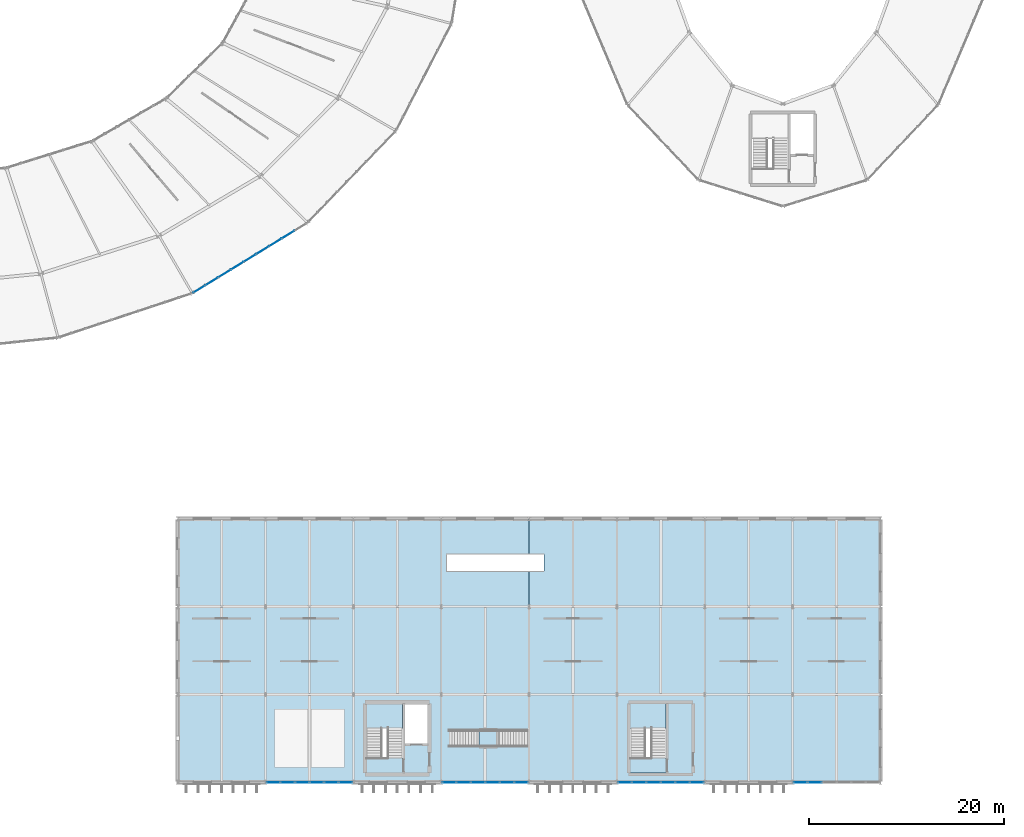
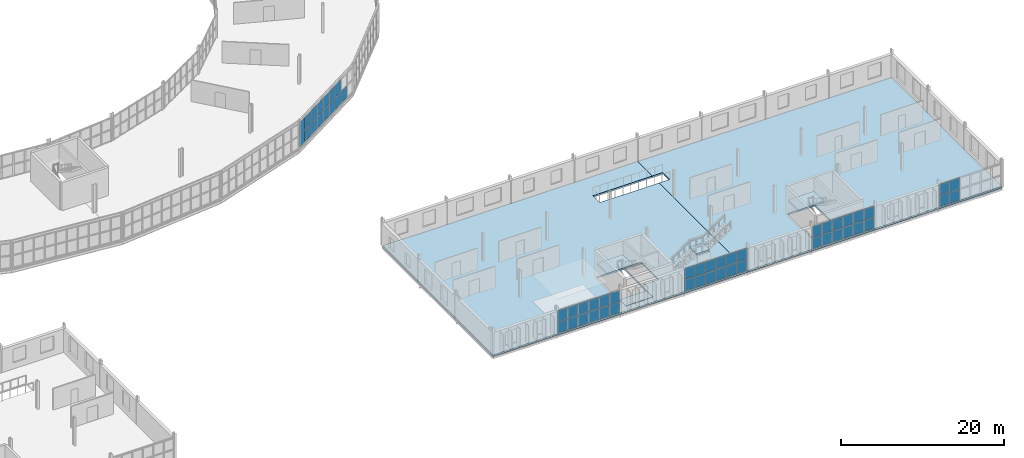
# One storey, part 119 of 161: 55 plates, 7 slabs, 8 elements without a shape of their own.
"""IFC4 building model written with IfcOpenShell, lengths in metres."""

from ifc_helpers import new_model, si_unit, direction, frame, origin, origin_2d, place, context, subcontext, project, spatial, polyline, rectangle, outline, extrude, material, layer, layer_set, type_object, element, aggregate, save


model = new_model("IFC4")

# Units and contexts
model_context = context("Model", 3, precision=1e-05, world=origin(), true_north=direction((0.0, 1.0)))
body_context = subcontext(model_context, "Body", "Model", "MODEL_VIEW")
ifc_project = project(units=[si_unit("LENGTHUNIT", "METRE"), si_unit("AREAUNIT", "SQUARE_METRE"), si_unit("VOLUMEUNIT", "CUBIC_METRE"), si_unit("PLANEANGLEUNIT", "RADIAN"), si_unit("MASSUNIT", "GRAM", prefix="KILO")], contexts=[model_context])

# Site, building, storey
site_placement = place(None, origin())
site = spatial("IfcSite", under=ifc_project, at=site_placement, CompositionType="ELEMENT")
building_placement = place(site_placement, origin())
building = spatial("IfcBuilding", under=site, at=building_placement, Name="Kildeholm Park Wholesale Market", CompositionType="ELEMENT")
storey_placement = place(building_placement, frame((0.0, 0.0, 5.39990234375)))
storey = spatial("IfcBuildingStorey", under=building, at=storey_placement, Name="L01", CompositionType="ELEMENT", Elevation=5.39990234375)

# Curtain wall, plates
ifc_material_1 = material(Name="Anodised aluminium and low-E double-glazed glass", Category="aluminium")
curtain_wall_type_1 = type_object("IfcCurtainWallType", Name="Market hall glazed arcade stick curtain wall CW-01", PredefinedType="NOTDEFINED", material=ifc_material_1)
curtain_wall_1_placement = place(storey_placement, origin())
curtain_wall_1 = element("IfcCurtainWall", 1, at=curtain_wall_1_placement, inside=storey, type_object=curtain_wall_type_1, Name="Curtain wall CW-V1-OT-20-1 CW-0099", PredefinedType="NOTDEFINED")
ifc_material_2 = material(Name="Double-glazed low-E insulated glass", Category="glass")
ifc_layer_1 = layer(ifc_material_2, 0.028076171875)
ifc_layer_set_1 = layer_set([ifc_layer_1], Name="Double-glazed low-E insulated glass")
plate_type_1 = type_object("IfcPlateType", Name="Curtain-wall panel CWP-1 28 mm", PredefinedType="CURTAIN_PANEL", material=ifc_layer_set_1)
plate_1_placement = place(storey_placement, frame((128.202880859375, 50.52099609375, 0.06494140625), z_axis=(0.0, 0.0, 1.0), x_axis=(0.852771402766, 0.522284342695, 0.0)))
plate_1 = element("IfcPlate", 2, at=plate_1_placement, type_object=plate_type_1, Name="CW-01 panel 1.1 PLT-1488", PredefinedType="CURTAIN_PANEL", context=body_context, shape_type="SweptSolid", body=[
    extrude(rectangle(XDim=1.431884765625, YDim=0.028076171875, at=origin_2d()), origin(), (0.0, 0.0, 1.0), 1.802490234375),
])
plate_2_placement = place(storey_placement, frame((128.202880859375, 50.52099609375, 1.9326171875), z_axis=(0.0, 0.0, 1.0), x_axis=(0.852771402766, 0.522284342695, 0.0)))
plate_2 = element("IfcPlate", 3, at=plate_2_placement, type_object=plate_type_1, Name="CW-01 panel 1.2 PLT-1489", PredefinedType="CURTAIN_PANEL", context=body_context, shape_type="SweptSolid", body=[
    extrude(rectangle(XDim=1.431884765625, YDim=0.028076171875, at=origin_2d()), origin(), (0.0, 0.0, 1.0), 1.802490234375),
])
plate_3_placement = place(storey_placement, frame((129.493408203125, 51.311279296875, 0.06494140625), z_axis=(0.0, 0.0, 1.0), x_axis=(0.852771402766, 0.522284342695, 0.0)))
plate_3 = element("IfcPlate", 4, at=plate_3_placement, type_object=plate_type_1, Name="CW-01 panel 2.1 PLT-1490", PredefinedType="CURTAIN_PANEL", context=body_context, shape_type="SweptSolid", body=[
    extrude(rectangle(XDim=1.46435546875, YDim=0.028076171875, at=origin_2d()), origin(), (0.0, 0.0, 1.0), 1.802490234375),
])
plate_4_placement = place(storey_placement, frame((129.493408203125, 51.311279296875, 1.9326171875), z_axis=(0.0, 0.0, 1.0), x_axis=(0.852771402766, 0.522284342695, 0.0)))
plate_4 = element("IfcPlate", 5, at=plate_4_placement, type_object=plate_type_1, Name="CW-01 panel 2.2 PLT-1491", PredefinedType="CURTAIN_PANEL", context=body_context, shape_type="SweptSolid", body=[
    extrude(rectangle(XDim=1.46435546875, YDim=0.028076171875, at=origin_2d()), origin(), (0.0, 0.0, 1.0), 1.802490234375),
])
plate_5_placement = place(storey_placement, frame((130.797607421875, 52.10986328125, 0.06494140625), z_axis=(0.0, 0.0, 1.0), x_axis=(0.852771402766, 0.522284342695, 0.0)))
plate_5 = element("IfcPlate", 6, at=plate_5_placement, type_object=plate_type_1, Name="CW-01 panel 3.1 PLT-1492", PredefinedType="CURTAIN_PANEL", context=body_context, shape_type="SweptSolid", body=[
    extrude(rectangle(XDim=1.46435546875, YDim=0.028076171875, at=origin_2d()), origin(), (0.0, 0.0, 1.0), 1.802490234375),
])
plate_6_placement = place(storey_placement, frame((130.797607421875, 52.10986328125, 1.9326171875), z_axis=(0.0, 0.0, 1.0), x_axis=(0.852771402766, 0.522284342695, 0.0)))
plate_6 = element("IfcPlate", 7, at=plate_6_placement, type_object=plate_type_1, Name="CW-01 panel 3.2 PLT-1493", PredefinedType="CURTAIN_PANEL", context=body_context, shape_type="SweptSolid", body=[
    extrude(rectangle(XDim=1.46435546875, YDim=0.028076171875, at=origin_2d()), origin(), (0.0, 0.0, 1.0), 1.802490234375),
])
plate_7_placement = place(storey_placement, frame((132.101806640625, 52.90869140625, 0.06494140625), z_axis=(0.0, 0.0, 1.0), x_axis=(0.852771402766, 0.522284342695, 0.0)))
plate_7 = element("IfcPlate", 8, at=plate_7_placement, type_object=plate_type_1, Name="CW-01 panel 4.1 PLT-1494", PredefinedType="CURTAIN_PANEL", context=body_context, shape_type="SweptSolid", body=[
    extrude(rectangle(XDim=1.46435546875, YDim=0.028076171875, at=origin_2d()), origin(), (0.0, 0.0, 1.0), 1.802490234375),
])
plate_8_placement = place(storey_placement, frame((132.101806640625, 52.90869140625, 1.9326171875), z_axis=(0.0, 0.0, 1.0), x_axis=(0.852771402766, 0.522284342695, 0.0)))
plate_8 = element("IfcPlate", 9, at=plate_8_placement, type_object=plate_type_1, Name="CW-01 panel 4.2 PLT-1495", PredefinedType="CURTAIN_PANEL", context=body_context, shape_type="SweptSolid", body=[
    extrude(rectangle(XDim=1.46435546875, YDim=0.028076171875, at=origin_2d()), origin(), (0.0, 0.0, 1.0), 1.802490234375),
])
plate_9_placement = place(storey_placement, frame((133.406005859375, 53.70751953125, 0.06494140625), z_axis=(0.0, 0.0, 1.0), x_axis=(0.852771402766, 0.522284342695, 0.0)))
plate_9 = element("IfcPlate", 10, at=plate_9_placement, type_object=plate_type_1, Name="CW-01 panel 5.1 PLT-1496", PredefinedType="CURTAIN_PANEL", context=body_context, shape_type="SweptSolid", body=[
    extrude(rectangle(XDim=1.46435546875, YDim=0.028076171875, at=origin_2d()), origin(), (0.0, 0.0, 1.0), 1.802490234375),
])
plate_10_placement = place(storey_placement, frame((133.406005859375, 53.70751953125, 1.9326171875), z_axis=(0.0, 0.0, 1.0), x_axis=(0.852771402766, 0.522284342695, 0.0)))
plate_10 = element("IfcPlate", 11, at=plate_10_placement, type_object=plate_type_1, Name="CW-01 panel 5.2 PLT-1497", PredefinedType="CURTAIN_PANEL", context=body_context, shape_type="SweptSolid", body=[
    extrude(rectangle(XDim=1.46435546875, YDim=0.028076171875, at=origin_2d()), origin(), (0.0, 0.0, 1.0), 1.802490234375),
])
plate_11_placement = place(storey_placement, frame((134.710205078125, 54.50634765625, 0.06494140625), z_axis=(0.0, 0.0, 1.0), x_axis=(0.852771402766, 0.522284342695, 0.0)))
plate_11 = element("IfcPlate", 12, at=plate_11_placement, type_object=plate_type_1, Name="CW-01 panel 6.1 PLT-1498", PredefinedType="CURTAIN_PANEL", context=body_context, shape_type="SweptSolid", body=[
    extrude(rectangle(XDim=1.46435546875, YDim=0.028076171875, at=origin_2d()), origin(), (0.0, 0.0, 1.0), 1.802490234375),
])
plate_12_placement = place(storey_placement, frame((134.710205078125, 54.50634765625, 1.9326171875), z_axis=(0.0, 0.0, 1.0), x_axis=(0.852771402766, 0.522284342695, 0.0)))
plate_12 = element("IfcPlate", 13, at=plate_12_placement, type_object=plate_type_1, Name="CW-01 panel 6.2 PLT-1499", PredefinedType="CURTAIN_PANEL", context=body_context, shape_type="SweptSolid", body=[
    extrude(rectangle(XDim=1.46435546875, YDim=0.028076171875, at=origin_2d()), origin(), (0.0, 0.0, 1.0), 1.802490234375),
])
plate_13_placement = place(storey_placement, frame((136.014404296875, 55.30517578125, 0.06494140625), z_axis=(0.0, 0.0, 1.0), x_axis=(0.852771402766, 0.522284342695, 0.0)))
plate_13 = element("IfcPlate", 14, at=plate_13_placement, type_object=plate_type_1, Name="CW-01 panel 7.1 PLT-1500", PredefinedType="CURTAIN_PANEL", context=body_context, shape_type="SweptSolid", body=[
    extrude(rectangle(XDim=1.46435546875, YDim=0.028076171875, at=origin_2d()), origin(), (0.0, 0.0, 1.0), 1.802490234375),
])
plate_14_placement = place(storey_placement, frame((136.014404296875, 55.30517578125, 1.9326171875), z_axis=(0.0, 0.0, 1.0), x_axis=(0.852771402766, 0.522284342695, 0.0)))
plate_14 = element("IfcPlate", 15, at=plate_14_placement, type_object=plate_type_1, Name="CW-01 panel 7.2 PLT-1501", PredefinedType="CURTAIN_PANEL", context=body_context, shape_type="SweptSolid", body=[
    extrude(rectangle(XDim=1.46435546875, YDim=0.028076171875, at=origin_2d()), origin(), (0.0, 0.0, 1.0), 1.802490234375),
])
plate_15_placement = place(storey_placement, frame((137.318603515625, 56.103759765625, 0.06494140625), z_axis=(0.0, 0.0, 1.0), x_axis=(0.852771402766, 0.522284342695, 0.0)))
plate_15 = element("IfcPlate", 16, at=plate_15_placement, type_object=plate_type_1, Name="CW-01 panel 8.1 PLT-1502", PredefinedType="CURTAIN_PANEL", context=body_context, shape_type="SweptSolid", body=[
    extrude(rectangle(XDim=1.46435546875, YDim=0.028076171875, at=origin_2d()), origin(), (0.0, 0.0, 1.0), 1.802490234375),
])
aggregate(curtain_wall_1, [plate_1, plate_2, plate_3, plate_4, plate_5, plate_6, plate_7, plate_8, plate_9, plate_10, plate_11, plate_12, plate_13, plate_14, plate_15])

curtain_wall_type_2 = type_object("IfcCurtainWallType", Name="Park wing thermally broken curtain wall CW-03", PredefinedType="NOTDEFINED", material=ifc_material_1)
curtain_wall_2_placement = place(storey_placement, origin())
curtain_wall_2 = element("IfcCurtainWall", 17, at=curtain_wall_2_placement, inside=storey, type_object=curtain_wall_type_2, Name="Curtain wall CW-V5E-L01-S-02 CW-0151", PredefinedType="NOTDEFINED")
ifc_material_3 = material(Name="Triple-glazed solar-control glass", Category="glass")
ifc_layer_2 = layer(ifc_material_3, 0.035888671875)
ifc_layer_set_2 = layer_set([ifc_layer_2], Name="Triple-glazed solar-control glass")
plate_type_2 = type_object("IfcPlateType", Name="Curtain-wall panel CWP-2 36 mm", PredefinedType="CURTAIN_PANEL", material=ifc_layer_set_2)
plate_16_placement = place(storey_placement, frame((135.802001953125, 0.0, 0.0751953125), z_axis=(0.0, 0.0, 1.0), x_axis=(1.0, 0.0, 0.0)))
plate_16 = element("IfcPlate", 18, at=plate_16_placement, type_object=plate_type_2, Name="CW-03 panel 1.1 PLT-2220", PredefinedType="CURTAIN_PANEL", context=body_context, shape_type="SweptSolid", body=[
    extrude(rectangle(XDim=1.374267578125, YDim=0.035888671875, at=origin_2d()), origin(), (0.0, 0.0, 1.0), 1.637451171875),
])
plate_17_placement = place(storey_placement, frame((135.802001953125, 0.0, 1.78759765625), z_axis=(0.0, 0.0, 1.0), x_axis=(1.0, 0.0, 0.0)))
plate_17 = element("IfcPlate", 19, at=plate_17_placement, type_object=plate_type_2, Name="CW-03 panel 1.2 PLT-2221", PredefinedType="CURTAIN_PANEL", context=body_context, shape_type="SweptSolid", body=[
    extrude(rectangle(XDim=1.374267578125, YDim=0.035888671875, at=origin_2d()), origin(), (0.0, 0.0, 1.0), 1.637451171875),
])
plate_18_placement = place(storey_placement, frame((137.27001953125, 0.0, 0.0751953125), z_axis=(0.0, 0.0, 1.0), x_axis=(1.0, 0.0, 0.0)))
plate_18 = element("IfcPlate", 20, at=plate_18_placement, type_object=plate_type_2, Name="CW-03 panel 2.1 PLT-2222", PredefinedType="CURTAIN_PANEL", context=body_context, shape_type="SweptSolid", body=[
    extrude(rectangle(XDim=1.41162109375, YDim=0.035888671875, at=origin_2d()), origin(), (0.0, 0.0, 1.0), 1.637451171875),
])
plate_19_placement = place(storey_placement, frame((137.27001953125, 0.0, 1.78759765625), z_axis=(0.0, 0.0, 1.0), x_axis=(1.0, 0.0, 0.0)))
plate_19 = element("IfcPlate", 21, at=plate_19_placement, type_object=plate_type_2, Name="CW-03 panel 2.2 PLT-2223", PredefinedType="CURTAIN_PANEL", context=body_context, shape_type="SweptSolid", body=[
    extrude(rectangle(XDim=1.41162109375, YDim=0.035888671875, at=origin_2d()), origin(), (0.0, 0.0, 1.0), 1.637451171875),
])
plate_20_placement = place(storey_placement, frame((138.756591796875, 0.0, 0.0751953125), z_axis=(0.0, 0.0, 1.0), x_axis=(1.0, 0.0, 0.0)))
plate_20 = element("IfcPlate", 22, at=plate_20_placement, type_object=plate_type_2, Name="CW-03 panel 3.1 PLT-2224", PredefinedType="CURTAIN_PANEL", context=body_context, shape_type="SweptSolid", body=[
    extrude(rectangle(XDim=1.41162109375, YDim=0.035888671875, at=origin_2d()), origin(), (0.0, 0.0, 1.0), 1.637451171875),
])
plate_21_placement = place(storey_placement, frame((138.756591796875, 0.0, 1.78759765625), z_axis=(0.0, 0.0, 1.0), x_axis=(1.0, 0.0, 0.0)))
plate_21 = element("IfcPlate", 23, at=plate_21_placement, type_object=plate_type_2, Name="CW-03 panel 3.2 PLT-2225", PredefinedType="CURTAIN_PANEL", context=body_context, shape_type="SweptSolid", body=[
    extrude(rectangle(XDim=1.41162109375, YDim=0.035888671875, at=origin_2d()), origin(), (0.0, 0.0, 1.0), 1.637451171875),
])
plate_22_placement = place(storey_placement, frame((140.243408203125, 0.0, 0.0751953125), z_axis=(0.0, 0.0, 1.0), x_axis=(1.0, 0.0, 0.0)))
plate_22 = element("IfcPlate", 24, at=plate_22_placement, type_object=plate_type_2, Name="CW-03 panel 4.1 PLT-2226", PredefinedType="CURTAIN_PANEL", context=body_context, shape_type="SweptSolid", body=[
    extrude(rectangle(XDim=1.41162109375, YDim=0.035888671875, at=origin_2d()), origin(), (0.0, 0.0, 1.0), 1.637451171875),
])
plate_23_placement = place(storey_placement, frame((140.243408203125, 0.0, 1.78759765625), z_axis=(0.0, 0.0, 1.0), x_axis=(1.0, 0.0, 0.0)))
plate_23 = element("IfcPlate", 25, at=plate_23_placement, type_object=plate_type_2, Name="CW-03 panel 4.2 PLT-2227", PredefinedType="CURTAIN_PANEL", context=body_context, shape_type="SweptSolid", body=[
    extrude(rectangle(XDim=1.41162109375, YDim=0.035888671875, at=origin_2d()), origin(), (0.0, 0.0, 1.0), 1.637451171875),
])
plate_24_placement = place(storey_placement, frame((141.72998046875, 0.0, 0.0751953125), z_axis=(0.0, 0.0, 1.0), x_axis=(1.0, 0.0, 0.0)))
plate_24 = element("IfcPlate", 26, at=plate_24_placement, type_object=plate_type_2, Name="CW-03 panel 5.1 PLT-2228", PredefinedType="CURTAIN_PANEL", context=body_context, shape_type="SweptSolid", body=[
    extrude(rectangle(XDim=1.41162109375, YDim=0.035888671875, at=origin_2d()), origin(), (0.0, 0.0, 1.0), 1.637451171875),
])
plate_25_placement = place(storey_placement, frame((141.72998046875, 0.0, 1.78759765625), z_axis=(0.0, 0.0, 1.0), x_axis=(1.0, 0.0, 0.0)))
plate_25 = element("IfcPlate", 27, at=plate_25_placement, type_object=plate_type_2, Name="CW-03 panel 5.2 PLT-2229", PredefinedType="CURTAIN_PANEL", context=body_context, shape_type="SweptSolid", body=[
    extrude(rectangle(XDim=1.41162109375, YDim=0.035888671875, at=origin_2d()), origin(), (0.0, 0.0, 1.0), 1.637451171875),
])
plate_26_placement = place(storey_placement, frame((143.197998046875, 0.0, 0.0751953125), z_axis=(0.0, 0.0, 1.0), x_axis=(1.0, 0.0, 0.0)))
plate_26 = element("IfcPlate", 28, at=plate_26_placement, type_object=plate_type_2, Name="CW-03 panel 6.1 PLT-2230", PredefinedType="CURTAIN_PANEL", context=body_context, shape_type="SweptSolid", body=[
    extrude(rectangle(XDim=1.374267578125, YDim=0.035888671875, at=origin_2d()), origin(), (0.0, 0.0, 1.0), 1.637451171875),
])
plate_27_placement = place(storey_placement, frame((143.197998046875, 0.0, 1.78759765625), z_axis=(0.0, 0.0, 1.0), x_axis=(1.0, 0.0, 0.0)))
plate_27 = element("IfcPlate", 29, at=plate_27_placement, type_object=plate_type_2, Name="CW-03 panel 6.2 PLT-2231", PredefinedType="CURTAIN_PANEL", context=body_context, shape_type="SweptSolid", body=[
    extrude(rectangle(XDim=1.374267578125, YDim=0.035888671875, at=origin_2d()), origin(), (0.0, 0.0, 1.0), 1.637451171875),
])
aggregate(curtain_wall_2, [plate_16, plate_17, plate_18, plate_19, plate_20, plate_21, plate_22, plate_23, plate_24, plate_25, plate_26, plate_27])

curtain_wall_3_placement = place(storey_placement, origin())
curtain_wall_3 = element("IfcCurtainWall", 30, at=curtain_wall_3_placement, inside=storey, type_object=curtain_wall_type_2, Name="Curtain wall CW-V5E-L01-S-04 CW-0152", PredefinedType="NOTDEFINED")
plate_28_placement = place(storey_placement, frame((153.802001953125, 0.0, 0.0751953125), z_axis=(0.0, 0.0, 1.0), x_axis=(1.0, 0.0, 0.0)))
plate_28 = element("IfcPlate", 31, at=plate_28_placement, type_object=plate_type_2, Name="CW-03 panel 1.1 PLT-2232", PredefinedType="CURTAIN_PANEL", context=body_context, shape_type="SweptSolid", body=[
    extrude(rectangle(XDim=1.374267578125, YDim=0.035888671875, at=origin_2d()), origin(), (0.0, 0.0, 1.0), 1.637451171875),
])
plate_29_placement = place(storey_placement, frame((153.802001953125, 0.0, 1.78759765625), z_axis=(0.0, 0.0, 1.0), x_axis=(1.0, 0.0, 0.0)))
plate_29 = element("IfcPlate", 32, at=plate_29_placement, type_object=plate_type_2, Name="CW-03 panel 1.2 PLT-2233", PredefinedType="CURTAIN_PANEL", context=body_context, shape_type="SweptSolid", body=[
    extrude(rectangle(XDim=1.374267578125, YDim=0.035888671875, at=origin_2d()), origin(), (0.0, 0.0, 1.0), 1.637451171875),
])
plate_30_placement = place(storey_placement, frame((155.27001953125, 0.0, 0.0751953125), z_axis=(0.0, 0.0, 1.0), x_axis=(1.0, 0.0, 0.0)))
plate_30 = element("IfcPlate", 33, at=plate_30_placement, type_object=plate_type_2, Name="CW-03 panel 2.1 PLT-2234", PredefinedType="CURTAIN_PANEL", context=body_context, shape_type="SweptSolid", body=[
    extrude(rectangle(XDim=1.41162109375, YDim=0.035888671875, at=origin_2d()), origin(), (0.0, 0.0, 1.0), 1.637451171875),
])
plate_31_placement = place(storey_placement, frame((155.27001953125, 0.0, 1.78759765625), z_axis=(0.0, 0.0, 1.0), x_axis=(1.0, 0.0, 0.0)))
plate_31 = element("IfcPlate", 34, at=plate_31_placement, type_object=plate_type_2, Name="CW-03 panel 2.2 PLT-2235", PredefinedType="CURTAIN_PANEL", context=body_context, shape_type="SweptSolid", body=[
    extrude(rectangle(XDim=1.41162109375, YDim=0.035888671875, at=origin_2d()), origin(), (0.0, 0.0, 1.0), 1.637451171875),
])
plate_32_placement = place(storey_placement, frame((156.756591796875, 0.0, 0.0751953125), z_axis=(0.0, 0.0, 1.0), x_axis=(1.0, 0.0, 0.0)))
plate_32 = element("IfcPlate", 35, at=plate_32_placement, type_object=plate_type_2, Name="CW-03 panel 3.1 PLT-2236", PredefinedType="CURTAIN_PANEL", context=body_context, shape_type="SweptSolid", body=[
    extrude(rectangle(XDim=1.41162109375, YDim=0.035888671875, at=origin_2d()), origin(), (0.0, 0.0, 1.0), 1.637451171875),
])
plate_33_placement = place(storey_placement, frame((156.756591796875, 0.0, 1.78759765625), z_axis=(0.0, 0.0, 1.0), x_axis=(1.0, 0.0, 0.0)))
plate_33 = element("IfcPlate", 36, at=plate_33_placement, type_object=plate_type_2, Name="CW-03 panel 3.2 PLT-2237", PredefinedType="CURTAIN_PANEL", context=body_context, shape_type="SweptSolid", body=[
    extrude(rectangle(XDim=1.41162109375, YDim=0.035888671875, at=origin_2d()), origin(), (0.0, 0.0, 1.0), 1.637451171875),
])
plate_34_placement = place(storey_placement, frame((158.243408203125, 0.0, 0.0751953125), z_axis=(0.0, 0.0, 1.0), x_axis=(1.0, 0.0, 0.0)))
plate_34 = element("IfcPlate", 37, at=plate_34_placement, type_object=plate_type_2, Name="CW-03 panel 4.1 PLT-2238", PredefinedType="CURTAIN_PANEL", context=body_context, shape_type="SweptSolid", body=[
    extrude(rectangle(XDim=1.41162109375, YDim=0.035888671875, at=origin_2d()), origin(), (0.0, 0.0, 1.0), 1.637451171875),
])
plate_35_placement = place(storey_placement, frame((158.243408203125, 0.0, 1.78759765625), z_axis=(0.0, 0.0, 1.0), x_axis=(1.0, 0.0, 0.0)))
plate_35 = element("IfcPlate", 38, at=plate_35_placement, type_object=plate_type_2, Name="CW-03 panel 4.2 PLT-2239", PredefinedType="CURTAIN_PANEL", context=body_context, shape_type="SweptSolid", body=[
    extrude(rectangle(XDim=1.41162109375, YDim=0.035888671875, at=origin_2d()), origin(), (0.0, 0.0, 1.0), 1.637451171875),
])
plate_36_placement = place(storey_placement, frame((159.72998046875, 0.0, 0.0751953125), z_axis=(0.0, 0.0, 1.0), x_axis=(1.0, 0.0, 0.0)))
plate_36 = element("IfcPlate", 39, at=plate_36_placement, type_object=plate_type_2, Name="CW-03 panel 5.1 PLT-2240", PredefinedType="CURTAIN_PANEL", context=body_context, shape_type="SweptSolid", body=[
    extrude(rectangle(XDim=1.41162109375, YDim=0.035888671875, at=origin_2d()), origin(), (0.0, 0.0, 1.0), 1.637451171875),
])
plate_37_placement = place(storey_placement, frame((159.72998046875, 0.0, 1.78759765625), z_axis=(0.0, 0.0, 1.0), x_axis=(1.0, 0.0, 0.0)))
plate_37 = element("IfcPlate", 40, at=plate_37_placement, type_object=plate_type_2, Name="CW-03 panel 5.2 PLT-2241", PredefinedType="CURTAIN_PANEL", context=body_context, shape_type="SweptSolid", body=[
    extrude(rectangle(XDim=1.41162109375, YDim=0.035888671875, at=origin_2d()), origin(), (0.0, 0.0, 1.0), 1.637451171875),
])
plate_38_placement = place(storey_placement, frame((161.197998046875, 0.0, 0.0751953125), z_axis=(0.0, 0.0, 1.0), x_axis=(1.0, 0.0, 0.0)))
plate_38 = element("IfcPlate", 41, at=plate_38_placement, type_object=plate_type_2, Name="CW-03 panel 6.1 PLT-2242", PredefinedType="CURTAIN_PANEL", context=body_context, shape_type="SweptSolid", body=[
    extrude(rectangle(XDim=1.374267578125, YDim=0.035888671875, at=origin_2d()), origin(), (0.0, 0.0, 1.0), 1.637451171875),
])
plate_39_placement = place(storey_placement, frame((161.197998046875, 0.0, 1.78759765625), z_axis=(0.0, 0.0, 1.0), x_axis=(1.0, 0.0, 0.0)))
plate_39 = element("IfcPlate", 42, at=plate_39_placement, type_object=plate_type_2, Name="CW-03 panel 6.2 PLT-2243", PredefinedType="CURTAIN_PANEL", context=body_context, shape_type="SweptSolid", body=[
    extrude(rectangle(XDim=1.374267578125, YDim=0.035888671875, at=origin_2d()), origin(), (0.0, 0.0, 1.0), 1.637451171875),
])
aggregate(curtain_wall_3, [plate_28, plate_29, plate_30, plate_31, plate_32, plate_33, plate_34, plate_35, plate_36, plate_37, plate_38, plate_39])

curtain_wall_4_placement = place(storey_placement, origin())
curtain_wall_4 = element("IfcCurtainWall", 43, at=curtain_wall_4_placement, inside=storey, type_object=curtain_wall_type_2, Name="Curtain wall CW-V5E-L01-S-06 CW-0153", PredefinedType="NOTDEFINED")
plate_40_placement = place(storey_placement, frame((171.802001953125, 0.0, 0.0751953125), z_axis=(0.0, 0.0, 1.0), x_axis=(1.0, 0.0, 0.0)))
plate_40 = element("IfcPlate", 44, at=plate_40_placement, type_object=plate_type_2, Name="CW-03 panel 1.1 PLT-2244", PredefinedType="CURTAIN_PANEL", context=body_context, shape_type="SweptSolid", body=[
    extrude(rectangle(XDim=1.374267578125, YDim=0.035888671875, at=origin_2d()), origin(), (0.0, 0.0, 1.0), 1.637451171875),
])
plate_41_placement = place(storey_placement, frame((171.802001953125, 0.0, 1.78759765625), z_axis=(0.0, 0.0, 1.0), x_axis=(1.0, 0.0, 0.0)))
plate_41 = element("IfcPlate", 45, at=plate_41_placement, type_object=plate_type_2, Name="CW-03 panel 1.2 PLT-2245", PredefinedType="CURTAIN_PANEL", context=body_context, shape_type="SweptSolid", body=[
    extrude(rectangle(XDim=1.374267578125, YDim=0.035888671875, at=origin_2d()), origin(), (0.0, 0.0, 1.0), 1.637451171875),
])
plate_42_placement = place(storey_placement, frame((173.27001953125, 0.0, 0.0751953125), z_axis=(0.0, 0.0, 1.0), x_axis=(1.0, 0.0, 0.0)))
plate_42 = element("IfcPlate", 46, at=plate_42_placement, type_object=plate_type_2, Name="CW-03 panel 2.1 PLT-2246", PredefinedType="CURTAIN_PANEL", context=body_context, shape_type="SweptSolid", body=[
    extrude(rectangle(XDim=1.41162109375, YDim=0.035888671875, at=origin_2d()), origin(), (0.0, 0.0, 1.0), 1.637451171875),
])
plate_43_placement = place(storey_placement, frame((173.27001953125, 0.0, 1.78759765625), z_axis=(0.0, 0.0, 1.0), x_axis=(1.0, 0.0, 0.0)))
plate_43 = element("IfcPlate", 47, at=plate_43_placement, type_object=plate_type_2, Name="CW-03 panel 2.2 PLT-2247", PredefinedType="CURTAIN_PANEL", context=body_context, shape_type="SweptSolid", body=[
    extrude(rectangle(XDim=1.41162109375, YDim=0.035888671875, at=origin_2d()), origin(), (0.0, 0.0, 1.0), 1.637451171875),
])
plate_44_placement = place(storey_placement, frame((174.756591796875, 0.0, 0.0751953125), z_axis=(0.0, 0.0, 1.0), x_axis=(1.0, 0.0, 0.0)))
plate_44 = element("IfcPlate", 48, at=plate_44_placement, type_object=plate_type_2, Name="CW-03 panel 3.1 PLT-2248", PredefinedType="CURTAIN_PANEL", context=body_context, shape_type="SweptSolid", body=[
    extrude(rectangle(XDim=1.41162109375, YDim=0.035888671875, at=origin_2d()), origin(), (0.0, 0.0, 1.0), 1.637451171875),
])
plate_45_placement = place(storey_placement, frame((174.756591796875, 0.0, 1.78759765625), z_axis=(0.0, 0.0, 1.0), x_axis=(1.0, 0.0, 0.0)))
plate_45 = element("IfcPlate", 49, at=plate_45_placement, type_object=plate_type_2, Name="CW-03 panel 3.2 PLT-2249", PredefinedType="CURTAIN_PANEL", context=body_context, shape_type="SweptSolid", body=[
    extrude(rectangle(XDim=1.41162109375, YDim=0.035888671875, at=origin_2d()), origin(), (0.0, 0.0, 1.0), 1.637451171875),
])
plate_46_placement = place(storey_placement, frame((176.243408203125, 0.0, 0.0751953125), z_axis=(0.0, 0.0, 1.0), x_axis=(1.0, 0.0, 0.0)))
plate_46 = element("IfcPlate", 50, at=plate_46_placement, type_object=plate_type_2, Name="CW-03 panel 4.1 PLT-2250", PredefinedType="CURTAIN_PANEL", context=body_context, shape_type="SweptSolid", body=[
    extrude(rectangle(XDim=1.41162109375, YDim=0.035888671875, at=origin_2d()), origin(), (0.0, 0.0, 1.0), 1.637451171875),
])
plate_47_placement = place(storey_placement, frame((176.243408203125, 0.0, 1.78759765625), z_axis=(0.0, 0.0, 1.0), x_axis=(1.0, 0.0, 0.0)))
plate_47 = element("IfcPlate", 51, at=plate_47_placement, type_object=plate_type_2, Name="CW-03 panel 4.2 PLT-2251", PredefinedType="CURTAIN_PANEL", context=body_context, shape_type="SweptSolid", body=[
    extrude(rectangle(XDim=1.41162109375, YDim=0.035888671875, at=origin_2d()), origin(), (0.0, 0.0, 1.0), 1.637451171875),
])
plate_48_placement = place(storey_placement, frame((177.72998046875, 0.0, 0.0751953125), z_axis=(0.0, 0.0, 1.0), x_axis=(1.0, 0.0, 0.0)))
plate_48 = element("IfcPlate", 52, at=plate_48_placement, type_object=plate_type_2, Name="CW-03 panel 5.1 PLT-2252", PredefinedType="CURTAIN_PANEL", context=body_context, shape_type="SweptSolid", body=[
    extrude(rectangle(XDim=1.41162109375, YDim=0.035888671875, at=origin_2d()), origin(), (0.0, 0.0, 1.0), 1.637451171875),
])
plate_49_placement = place(storey_placement, frame((177.72998046875, 0.0, 1.78759765625), z_axis=(0.0, 0.0, 1.0), x_axis=(1.0, 0.0, 0.0)))
plate_49 = element("IfcPlate", 53, at=plate_49_placement, type_object=plate_type_2, Name="CW-03 panel 5.2 PLT-2253", PredefinedType="CURTAIN_PANEL", context=body_context, shape_type="SweptSolid", body=[
    extrude(rectangle(XDim=1.41162109375, YDim=0.035888671875, at=origin_2d()), origin(), (0.0, 0.0, 1.0), 1.637451171875),
])
plate_50_placement = place(storey_placement, frame((179.197998046875, 0.0, 0.0751953125), z_axis=(0.0, 0.0, 1.0), x_axis=(1.0, 0.0, 0.0)))
plate_50 = element("IfcPlate", 54, at=plate_50_placement, type_object=plate_type_2, Name="CW-03 panel 6.1 PLT-2254", PredefinedType="CURTAIN_PANEL", context=body_context, shape_type="SweptSolid", body=[
    extrude(rectangle(XDim=1.374267578125, YDim=0.035888671875, at=origin_2d()), origin(), (0.0, 0.0, 1.0), 1.637451171875),
])
plate_51_placement = place(storey_placement, frame((179.197998046875, 0.0, 1.78759765625), z_axis=(0.0, 0.0, 1.0), x_axis=(1.0, 0.0, 0.0)))
plate_51 = element("IfcPlate", 55, at=plate_51_placement, type_object=plate_type_2, Name="CW-03 panel 6.2 PLT-2255", PredefinedType="CURTAIN_PANEL", context=body_context, shape_type="SweptSolid", body=[
    extrude(rectangle(XDim=1.374267578125, YDim=0.035888671875, at=origin_2d()), origin(), (0.0, 0.0, 1.0), 1.637451171875),
])
aggregate(curtain_wall_4, [plate_40, plate_41, plate_42, plate_43, plate_44, plate_45, plate_46, plate_47, plate_48, plate_49, plate_50, plate_51])

curtain_wall_5_placement = place(storey_placement, origin())
curtain_wall_5 = element("IfcCurtainWall", 56, at=curtain_wall_5_placement, inside=storey, type_object=curtain_wall_type_2, Name="Curtain wall CW-V5E-L01-S-08 CW-0154", PredefinedType="NOTDEFINED")
plate_52_placement = place(storey_placement, frame((189.802001953125, 0.0, 0.0751953125), z_axis=(0.0, 0.0, 1.0), x_axis=(1.0, 0.0, 0.0)))
plate_52 = element("IfcPlate", 57, at=plate_52_placement, type_object=plate_type_2, Name="CW-03 panel 1.1 PLT-2256", PredefinedType="CURTAIN_PANEL", context=body_context, shape_type="SweptSolid", body=[
    extrude(rectangle(XDim=1.374267578125, YDim=0.035888671875, at=origin_2d()), origin(), (0.0, 0.0, 1.0), 1.637451171875),
])
plate_53_placement = place(storey_placement, frame((189.802001953125, 0.0, 1.78759765625), z_axis=(0.0, 0.0, 1.0), x_axis=(1.0, 0.0, 0.0)))
plate_53 = element("IfcPlate", 58, at=plate_53_placement, type_object=plate_type_2, Name="CW-03 panel 1.2 PLT-2257", PredefinedType="CURTAIN_PANEL", context=body_context, shape_type="SweptSolid", body=[
    extrude(rectangle(XDim=1.374267578125, YDim=0.035888671875, at=origin_2d()), origin(), (0.0, 0.0, 1.0), 1.637451171875),
])
plate_54_placement = place(storey_placement, frame((191.27001953125, 0.0, 0.0751953125), z_axis=(0.0, 0.0, 1.0), x_axis=(1.0, 0.0, 0.0)))
plate_54 = element("IfcPlate", 59, at=plate_54_placement, type_object=plate_type_2, Name="CW-03 panel 2.1 PLT-2258", PredefinedType="CURTAIN_PANEL", context=body_context, shape_type="SweptSolid", body=[
    extrude(rectangle(XDim=1.41162109375, YDim=0.035888671875, at=origin_2d()), origin(), (0.0, 0.0, 1.0), 1.637451171875),
])
plate_55_placement = place(storey_placement, frame((191.27001953125, 0.0, 1.78759765625), z_axis=(0.0, 0.0, 1.0), x_axis=(1.0, 0.0, 0.0)))
plate_55 = element("IfcPlate", 60, at=plate_55_placement, type_object=plate_type_2, Name="CW-03 panel 2.2 PLT-2259", PredefinedType="CURTAIN_PANEL", context=body_context, shape_type="SweptSolid", body=[
    extrude(rectangle(XDim=1.41162109375, YDim=0.035888671875, at=origin_2d()), origin(), (0.0, 0.0, 1.0), 1.637451171875),
])
aggregate(curtain_wall_5, [plate_52, plate_53, plate_54, plate_55])

# Slabs
ifc_material_4 = material(Name="Concrete C35/45", Category="concrete")
ifc_layer_3 = layer(ifc_material_4, 0.239990234375)
ifc_layer_set_3 = layer_set([ifc_layer_3], Name="Concrete C35/45")
slab_type_1 = type_object("IfcSlabType", Name="Slab S-FL2 240 mm", PredefinedType="FLOOR", material=ifc_layer_set_3)
slab_1_placement = place(storey_placement, frame((0.0, 0.0, -0.239990234375)))
element("IfcSlab", 61, at=slab_1_placement, inside=storey, type_object=slab_type_1, Name="V5E L01 slab M part 1 SLB-0382", PredefinedType="FLOOR", context=body_context, shape_type="SweptSolid", body=[
    extrude(outline(polyline([(162.0, 0.0), (126.0, 0.0), (126.0, 27.0), (162.0, 27.0), (162.0, 23.340087890625), (153.60009765625, 23.340087890625), (153.60009765625, 21.659912109375), (162.0, 21.659912109375), (162.0, 0.0)]), holes=[polyline([(149.179931640625, 8.080078125), (145.320068359375, 8.080078125), (145.320068359375, 0.919921875), (149.179931640625, 0.919921875), (149.179931640625, 8.080078125)]), polyline([(151.679931640625, 3.820068359375), (151.679931640625, 8.080078125), (149.280029296875, 8.080078125), (149.280029296875, 3.820068359375), (151.679931640625, 3.820068359375)])]), origin(), (0.0, 0.0, 1.0), 0.239990234375),
])
slab_2_placement = place(storey_placement, frame((0.0, 0.0, -0.239990234375)))
element("IfcSlab", 62, at=slab_2_placement, inside=storey, type_object=slab_type_1, Name="V5E L01 slab M part 2 SLB-0383", PredefinedType="FLOOR", context=body_context, shape_type="SweptSolid", body=[
    extrude(outline(polyline([(162.0, 27.0), (198.0, 27.0), (198.0, 0.0), (162.0, 0.0), (162.0, 21.659912109375), (163.510009765625, 21.659912109375), (163.510009765625, 23.340087890625), (162.0, 23.340087890625), (162.0, 27.0)]), holes=[polyline([(176.179931640625, 0.919921875), (176.179931640625, 8.080078125), (172.320068359375, 8.080078125), (172.320068359375, 0.919921875), (176.179931640625, 0.919921875)])]), origin(), (0.0, 0.0, 1.0), 0.239990234375),
])
ifc_layer_4 = layer(ifc_material_4, 0.239990234375)
ifc_layer_set_4 = layer_set([ifc_layer_4], Name="Concrete C35/45")
slab_type_2 = type_object("IfcSlabType", Name="Stair landing slab S-LD1 240 mm", PredefinedType="LANDING", material=ifc_layer_set_4)
slab_3_placement = place(storey_placement, frame((0.0, 0.0, -0.239990234375)))
element("IfcSlab", 63, at=slab_3_placement, inside=storey, type_object=slab_type_2, Name="Core C06 stair landing slab L01 SLB-0435", PredefinedType="LANDING", context=body_context, shape_type="SweptSolid", body=[
    extrude(outline(polyline([(145.35009765625, 0.949951171875), (149.14990234375, 0.949951171875), (149.14990234375, 2.5), (145.35009765625, 2.5), (145.35009765625, 0.949951171875)])), origin(), (0.0, 0.0, 1.0), 0.239990234375),
])

# Stair, slab
stair_type_1 = type_object("IfcStairType", Name="Protected upper core escape stair ST-CR2", PredefinedType="HALF_TURN_STAIR", material=ifc_material_4)
stair_1_placement = place(storey_placement, origin())
stair_1 = element("IfcStair", 64, at=stair_1_placement, inside=storey, type_object=stair_type_1, Name="Escape stair C06 L01 STR-0015", PredefinedType="HALF_TURN_STAIR")
slab_4_placement = place(storey_placement, frame((0.0, 0.0, 1.860107421875)))
slab_4 = element("IfcSlab", 65, at=slab_4_placement, type_object=slab_type_2, Name="ST-06-01 landing 1 SLB-0436", PredefinedType="LANDING", context=body_context, shape_type="SweptSolid", body=[
    extrude(outline(polyline([(145.35009765625, 5.514892578125), (149.030029296875, 5.534912109375), (149.030029296875, 8.050048828125), (145.35009765625, 8.050048828125), (145.35009765625, 5.514892578125)])), origin(), (0.0, 0.0, 1.0), 0.239990234375),
])
aggregate(stair_1, [slab_4])

# Slab
slab_5_placement = place(storey_placement, frame((0.0, 0.0, -0.239990234375)))
element("IfcSlab", 66, at=slab_5_placement, inside=storey, type_object=slab_type_2, Name="Core C07 stair landing slab L01 SLB-0442", PredefinedType="LANDING", context=body_context, shape_type="SweptSolid", body=[
    extrude(outline(polyline([(172.35009765625, 0.949951171875), (176.14990234375, 0.949951171875), (176.14990234375, 2.5), (172.35009765625, 2.5), (172.35009765625, 0.949951171875)])), origin(), (0.0, 0.0, 1.0), 0.239990234375),
])

# Stair, slab
stair_2_placement = place(storey_placement, origin())
stair_2 = element("IfcStair", 67, at=stair_2_placement, inside=storey, type_object=stair_type_1, Name="Escape stair C07 L01 STR-0018", PredefinedType="HALF_TURN_STAIR")
slab_6_placement = place(storey_placement, frame((0.0, 0.0, 1.860107421875)))
slab_6 = element("IfcSlab", 68, at=slab_6_placement, type_object=slab_type_2, Name="ST-07-01 landing 1 SLB-0443", PredefinedType="LANDING", context=body_context, shape_type="SweptSolid", body=[
    extrude(outline(polyline([(172.35009765625, 5.514892578125), (176.030029296875, 5.534912109375), (176.030029296875, 8.050048828125), (172.35009765625, 8.050048828125), (172.35009765625, 5.514892578125)])), origin(), (0.0, 0.0, 1.0), 0.239990234375),
])
aggregate(stair_2, [slab_6])

ifc_material_5 = material(Name="Steel S355", Category="steel")
stair_type_2 = type_object("IfcStairType", Name="Buyers concourse feature straight stair ST-FT1", PredefinedType="STRAIGHT_RUN_STAIR", material=ifc_material_5)
stair_3_placement = place(storey_placement, origin())
stair_3 = element("IfcStair", 69, at=stair_3_placement, inside=storey, type_object=stair_type_2, Name="Buyers concourse feature stair ST-FT05 STR-0038", PredefinedType="STRAIGHT_RUN_STAIR")
slab_7_placement = place(storey_placement, frame((0.0, 0.0, 1.860107421875)))
slab_7 = element("IfcSlab", 70, at=slab_7_placement, type_object=slab_type_2, Name="ST-FT05 landing 1 SLB-0493", PredefinedType="LANDING", context=body_context, shape_type="SweptSolid", body=[
    extrude(outline(polyline([(156.89501953125, 3.639892578125), (158.7451171875, 3.639892578125), (158.7451171875, 5.360107421875), (156.89501953125, 5.360107421875), (156.89501953125, 3.639892578125)])), origin(), (0.0, 0.0, 1.0), 0.239990234375),
])
aggregate(stair_3, [slab_7])

save(model, "model.ifc")
